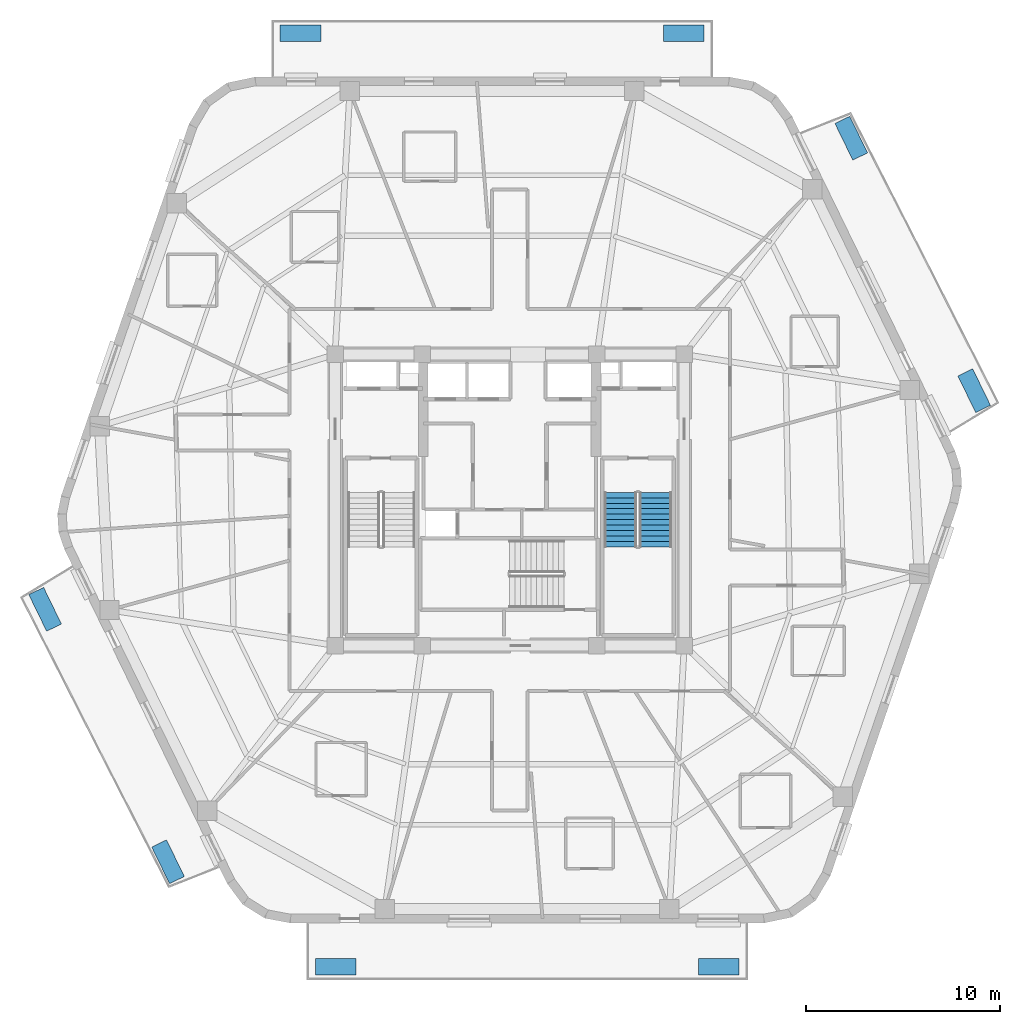
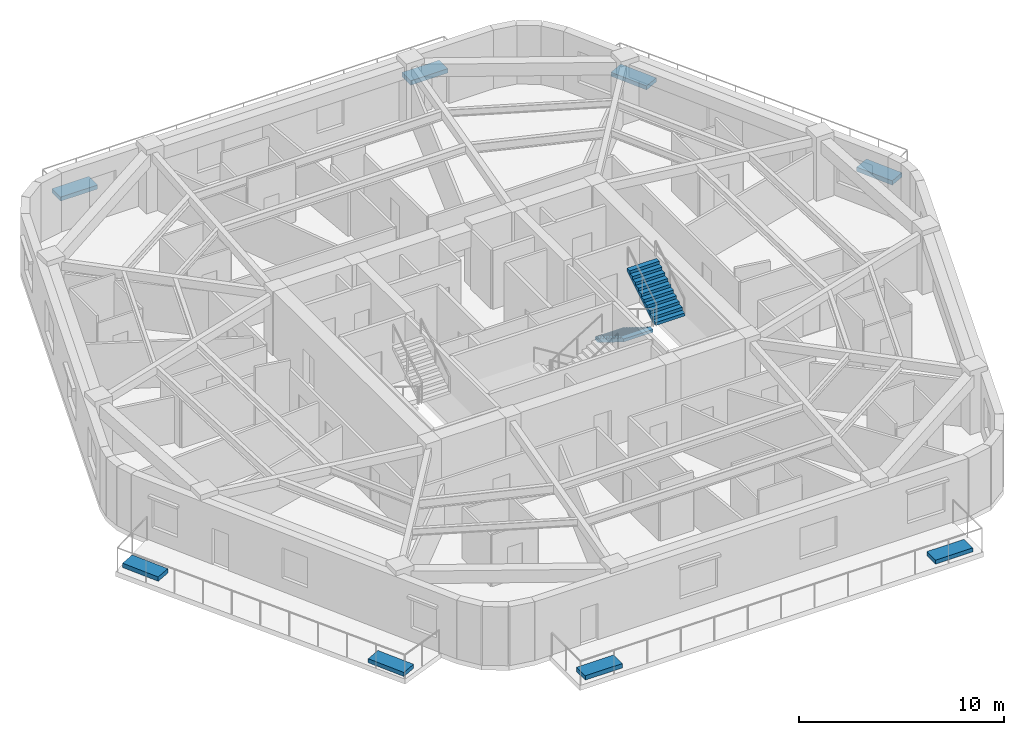
# One storey, part 7 of 10: 8 discrete accessories, 2 stair flights, 1 element without a shape of its own.
"""IFC4 building model written with IfcOpenShell, lengths in metres."""

from ifc_helpers import new_model, si_unit, direction, frame, origin, origin_2d, place, context, subcontext, project, spatial, polyline, rectangle, outline, extrude, material, type_object, element, aggregate, save


model = new_model("IFC4")

# Units and contexts
model_context = context("Model", 3, precision=1e-05, world=origin(), true_north=direction((0.0, 1.0)))
body_context = subcontext(model_context, "Body", "Model", "MODEL_VIEW")
ifc_project = project(units=[si_unit("LENGTHUNIT", "METRE"), si_unit("AREAUNIT", "SQUARE_METRE"), si_unit("VOLUMEUNIT", "CUBIC_METRE"), si_unit("PLANEANGLEUNIT", "RADIAN"), si_unit("MASSUNIT", "GRAM", prefix="KILO")], contexts=[model_context])

# Site, building, storey
site_placement = place(None, origin())
site = spatial("IfcSite", under=ifc_project, at=site_placement, CompositionType="ELEMENT")
building_placement = place(site_placement, origin())
building = spatial("IfcBuilding", under=site, at=building_placement, Name="Kilnhurst Terrace Hotel", CompositionType="ELEMENT")
storey_placement = place(building_placement, frame((0.0, 0.0, 210.300048828125)))
storey = spatial("IfcBuildingStorey", under=building, at=storey_placement, Name="L52", CompositionType="ELEMENT", Elevation=210.300048828125)

# Stair, stair flights
ifc_material_1 = material(Name="Concrete C50/60", Category="concrete")
stair_type = type_object("IfcStairType", Name="STR-CORE-1660", PredefinedType="HALF_TURN_STAIR", material=ifc_material_1)
stair_placement = place(storey_placement, origin())
stair = element("IfcStair", 1, at=stair_placement, inside=storey, type_object=stair_type, Name="L52 ST-2", PredefinedType="HALF_TURN_STAIR")
stair_flight_type = type_object("IfcStairFlightType", Name="FLT-RC-1660", PredefinedType="STRAIGHT", material=ifc_material_1)
stair_flight_1_placement = place(storey_placement, frame((5.7099609375, 0.389892578125, 0.0), z_axis=(0.0, 0.0, 1.0), x_axis=(0.0, -1.0, 0.0)))
stair_flight_1 = element("IfcStairFlight", 2, at=stair_flight_1_placement, type_object=stair_flight_type, Name="ST-2 flight 1", NumberOfRisers=11, NumberOfTreads=10, PredefinedType="STRAIGHT", RiserHeight=0.172727273, TreadLength=0.28, context=body_context, shape_type="SweptSolid", body=[
    extrude(outline(polyline([(0.0, 0.0), (0.0, 0.172607421875), (0.280029296875, 0.172607421875), (0.280029296875, 0.345458984375), (0.56005859375, 0.345458984375), (0.56005859375, 0.51806640625), (0.840087890625, 0.51806640625), (0.840087890625, 0.69091796875), (1.1201171875, 0.69091796875), (1.1201171875, 0.863525390625), (1.39990234375, 0.863525390625), (1.39990234375, 1.036376953125), (1.679931640625, 1.036376953125), (1.679931640625, 1.208984375), (1.9599609375, 1.208984375), (1.9599609375, 1.3818359375), (2.239990234375, 1.3818359375), (2.239990234375, 1.554443359375), (2.52001953125, 1.554443359375), (2.52001953125, 1.727294921875), (2.800048828125, 1.727294921875), (2.800048828125, 1.89990234375), (2.800048828125, 1.551025390625), (0.285400390625, 0.0), (0.0, 0.0)])), frame((0.0, 0.830078125, 0.0), z_axis=(0.0, -1.0, 0.0), x_axis=(1.0, 0.0, 0.0)), (0.0, 0.0, 1.0), 1.659912109375),
])
stair_flight_2_placement = place(storey_placement, frame((7.52001953125, -2.409912109375, 1.89990234375), z_axis=(0.0, 0.0, 1.0), x_axis=(0.0, 1.0, 0.0)))
stair_flight_2 = element("IfcStairFlight", 3, at=stair_flight_2_placement, type_object=stair_flight_type, Name="ST-2 flight 2", NumberOfRisers=11, NumberOfTreads=10, PredefinedType="STRAIGHT", RiserHeight=0.172727273, TreadLength=0.28, context=body_context, shape_type="SweptSolid", body=[
    extrude(outline(polyline([(0.0, 0.0), (0.0, 0.172607421875), (0.280029296875, 0.172607421875), (0.280029296875, 0.345458984375), (0.56005859375, 0.345458984375), (0.56005859375, 0.51806640625), (0.840087890625, 0.51806640625), (0.840087890625, 0.69091796875), (1.1201171875, 0.69091796875), (1.1201171875, 0.863525390625), (1.39990234375, 0.863525390625), (1.39990234375, 1.036376953125), (1.679931640625, 1.036376953125), (1.679931640625, 1.208984375), (1.9599609375, 1.208984375), (1.9599609375, 1.3818359375), (2.239990234375, 1.3818359375), (2.239990234375, 1.554443359375), (2.52001953125, 1.554443359375), (2.52001953125, 1.727294921875), (2.800048828125, 1.727294921875), (2.800048828125, 1.89990234375), (2.800048828125, 1.551025390625), (0.285400390625, 0.0), (0.0, 0.0)])), frame((0.0, 0.830078125, 0.0), z_axis=(0.0, -1.0, 0.0), x_axis=(1.0, 0.0, 0.0)), (0.0, 0.0, 1.0), 1.659912109375),
])
aggregate(stair, [stair_flight_1, stair_flight_2])

# Discrete accessories
ifc_material_2 = material(Name="Precast Concrete C40/50 Shrub Planter", Category="concrete")
discrete_accessory_type_1 = type_object("IfcDiscreteAccessoryType", Name="PLN-SHRUB-240", PredefinedType="USERDEFINED", material=ifc_material_2)
for number, where, z_axis, x_axis, name in (
    (4, (17.607177734375, 18.64794921875, 0.0), (0.0, 0.0, 1.0), (-0.437743563395, 0.899099868038, 0.0), "L52 Structural Tree Planter Box PLANTER BAL-L1A.2"),
    (5, (-10.77490234375, 24.050048828125, 0.0), (0.0, 0.0, 1.0), (-1.0, 0.0, 0.0), "L52 Structural Tree Planter Box PLANTER BAL-L1B.2"),
    (6, (-17.607177734375, -18.64794921875, 0.0), (0.0, 0.0, 1.0), (0.437743563395, -0.899099868038, 0.0), "L52 Structural Tree Planter Box PLANTER BAL-L2A.2"),
    (7, (10.77490234375, -24.050048828125, 0.0), (0.0, 0.0, 1.0), (1.0, 0.0, 0.0), "L52 Structural Tree Planter Box PLANTER BAL-L2B.2"),
):
    element("IfcDiscreteAccessory", number, at=place(storey_placement, frame(where, z_axis=z_axis, x_axis=x_axis)), inside=storey, type_object=discrete_accessory_type_1, Name=name, ObjectType="PLANTER", PredefinedType="USERDEFINED", context=body_context, shape_type="SweptSolid", body=[
        extrude(rectangle(XDim=2.10009765625, YDim=0.85009765625, at=origin_2d()), origin(), (0.0, 0.0, 1.0), 0.239990234375),
    ])
ifc_material_3 = material(Name="Precast Concrete C40/50 Tree Planter", Category="concrete")
discrete_accessory_type_2 = type_object("IfcDiscreteAccessoryType", Name="PLN-TREE-260", PredefinedType="USERDEFINED", material=ifc_material_3)
for number, where, z_axis, x_axis, name in (
    (8, (23.942626953125, 5.635009765625, 0.0), (0.0, 0.0, 1.0), (-0.437743563395, 0.899099868038, 0.0), "L52 Structural Tree Planter Box PLANTER BAL-L1A.1"),
    (9, (8.96875, 24.050048828125, 0.0), (0.0, 0.0, 1.0), (-1.0, 0.0, 0.0), "L52 Structural Tree Planter Box PLANTER BAL-L1B.1"),
    (10, (-23.942626953125, -5.635009765625, 0.0), (0.0, 0.0, 1.0), (0.437743563395, -0.899099868038, 0.0), "L52 Structural Tree Planter Box PLANTER BAL-L2A.1"),
    (11, (-8.96875, -24.050048828125, 0.0), (0.0, 0.0, 1.0), (1.0, 0.0, 0.0), "L52 Structural Tree Planter Box PLANTER BAL-L2B.1"),
):
    element("IfcDiscreteAccessory", number, at=place(storey_placement, frame(where, z_axis=z_axis, x_axis=x_axis)), inside=storey, type_object=discrete_accessory_type_2, Name=name, ObjectType="PLANTER", PredefinedType="USERDEFINED", context=body_context, shape_type="SweptSolid", body=[
        extrude(rectangle(XDim=2.10009765625, YDim=0.85009765625, at=origin_2d()), origin(), (0.0, 0.0, 1.0), 0.260009765625),
    ])

save(model, "model.ifc")
